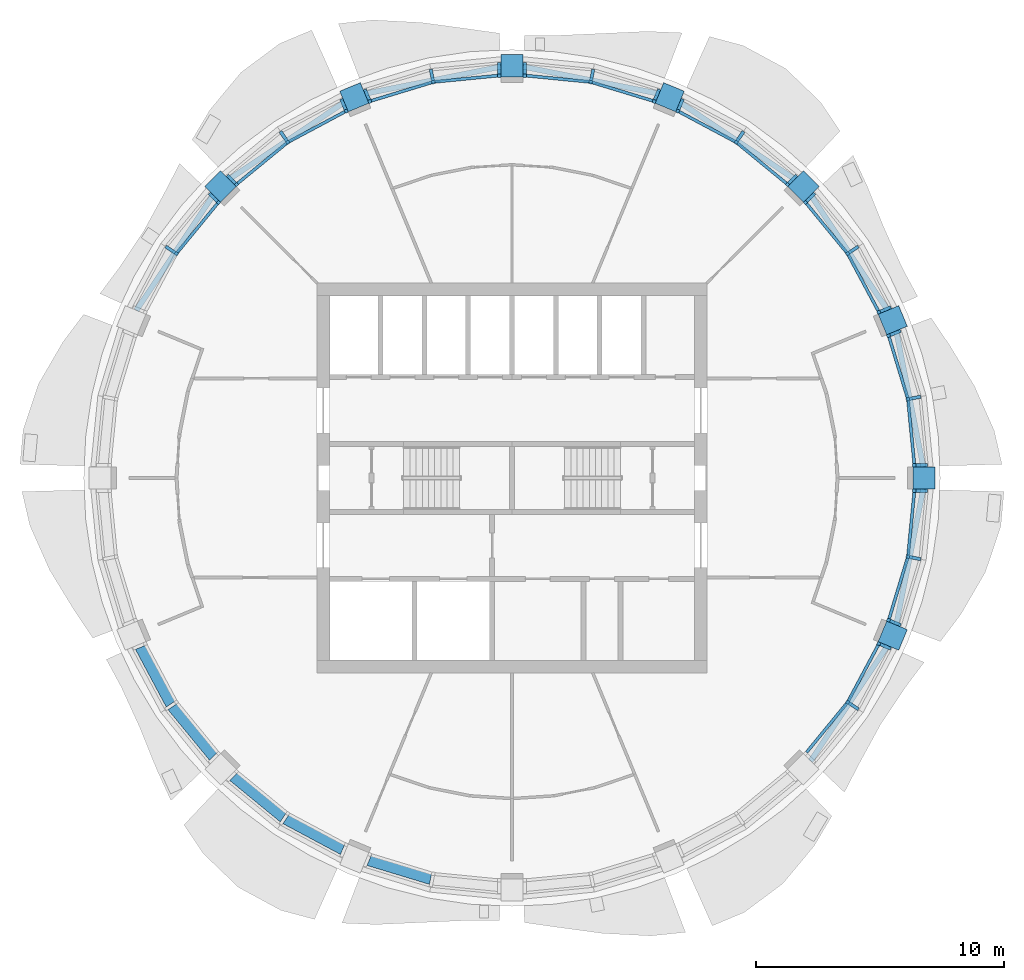
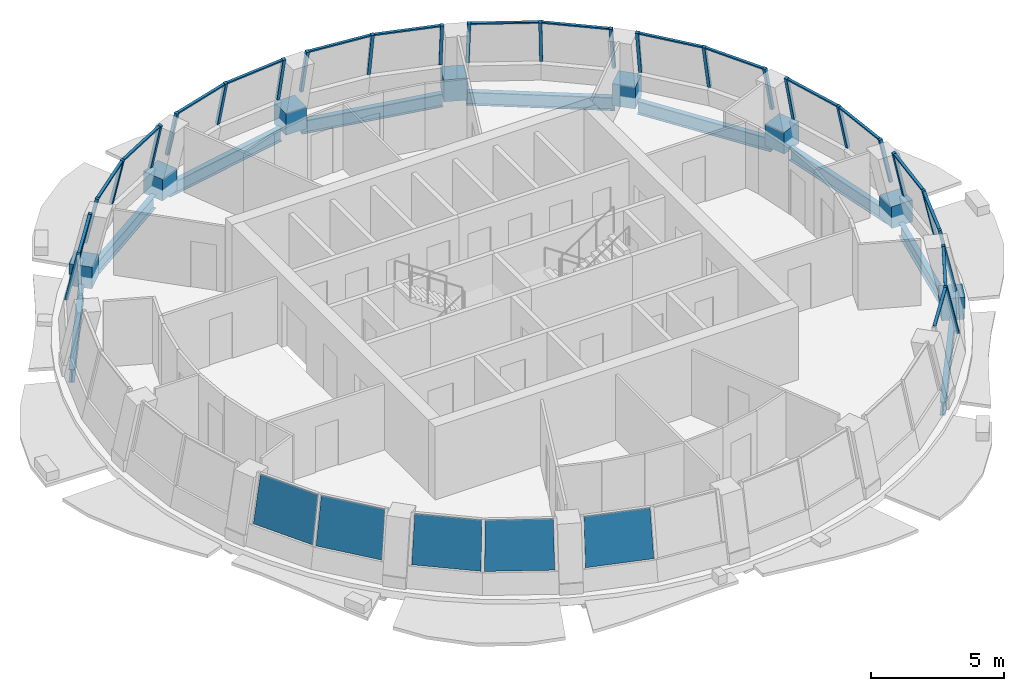
# One storey, part 2 of 11: 50 members, 9 beams, 5 plates, 12 elements without a shape of their own.
"""IFC4 building model written with IfcOpenShell, lengths in metres."""

import ifcopenshell
import ifcopenshell.guid

model = None  # the IFC model being written
_history = None  # IfcOwnerHistory: only IFC2X3 demands one
_inside = {}  # id of a spatial element -> (the spatial element, [elements in it])
_under = {}  # id of a project, library or spatial element -> (it, [spatial elements below it])
_declared = {}  # id of a project -> (the project, [libraries it declares])
_typed = {}  # id of a type object -> (the type object, [elements of that type])
_made_of = {}  # id of a material, layer set ... -> (it, [elements and type objects made of it])


def new_model(schema):
    """Start an empty IFC model of exactly this schema.

    Asked for "IFC4X3", IfcOpenShell would pick the latest addendum, in which some entities
    have other attributes; the version numbers below select the first issue.
    IFC2X3 requires an IfcOwnerHistory on every rooted entity: one is made here for all.
    """
    global model, _history
    if schema == "IFC4X3":
        model = ifcopenshell.file(schema_version=(4, 3, 0, 0))
    else:
        model = ifcopenshell.file(schema=schema)
    _inside.clear()
    _under.clear()
    _declared.clear()
    _typed.clear()
    _made_of.clear()
    _history = None
    if model.schema == "IFC2X3":
        org = make("IfcOrganization", Name="unknown")
        user = make(
            "IfcPersonAndOrganization",
            ThePerson=make("IfcPerson", FamilyName="unknown"),
            TheOrganization=org,
        )
        app = make(
            "IfcApplication",
            ApplicationDeveloper=org,
            Version="unknown",
            ApplicationFullName="unknown",
            ApplicationIdentifier="unknown",
        )
        _history = make(
            "IfcOwnerHistory",
            OwningUser=user,
            OwningApplication=app,
            ChangeAction="ADDED",
            CreationDate=0,
        )
    return model


def make(cls, **values):
    """One entity of the class cls with the attributes given. An attribute that is None is left unset."""
    return model.create_entity(
        cls, **{name: value for name, value in values.items() if value is not None}
    )


def rooted(cls, **values):
    """An entity with a GlobalId (a new one), such as an element, a storey or a relation."""
    return make(cls, GlobalId=ifcopenshell.guid.new(), OwnerHistory=_history, **values)


def si_unit(unit_type, name, prefix=None):
    """IfcSIUnit, for example si_unit("LENGTHUNIT", "METRE", prefix="MILLI")."""
    return make("IfcSIUnit", UnitType=unit_type, Prefix=prefix, Name=name)


def assignment(units):
    """IfcUnitAssignment: the units of a project."""
    return None if units is None else make("IfcUnitAssignment", Units=units)


def point(xyz):
    """IfcCartesianPoint."""
    return None if xyz is None else make("IfcCartesianPoint", Coordinates=xyz)


def direction(xyz):
    """IfcDirection."""
    return None if xyz is None else make("IfcDirection", DirectionRatios=xyz)


def frame(location, z_axis=None, x_axis=None):
    """IfcAxis2Placement3D, a coordinate frame: its origin and axes. An axis left out is left unset."""
    return make(
        "IfcAxis2Placement3D",
        Location=point(location),
        Axis=direction(z_axis),
        RefDirection=direction(x_axis),
    )


def frame_2d(location, x_axis=None):
    """IfcAxis2Placement2D, a coordinate frame in the plane: its origin and x axis."""
    return make(
        "IfcAxis2Placement2D", Location=point(location), RefDirection=direction(x_axis)
    )


def origin():
    """The frame at (0, 0, 0) with its axes left unset."""
    return frame((0.0, 0.0, 0.0))


def origin_2d():
    """The frame at (0, 0) in the plane with its x axis left unset."""
    return frame_2d((0.0, 0.0))


def place(relative_to, where):
    """IfcLocalPlacement: puts the frame where relative to a parent placement (None: the world)."""
    return make(
        "IfcLocalPlacement", PlacementRelTo=relative_to, RelativePlacement=where
    )


def context(
    kind, dimensions, precision=None, world=None, true_north=None, identifier=None
):
    """IfcGeometricRepresentationContext, for example the 3D "Model" context."""
    return make(
        "IfcGeometricRepresentationContext",
        ContextIdentifier=identifier,
        ContextType=kind,
        CoordinateSpaceDimension=dimensions,
        Precision=precision,
        WorldCoordinateSystem=world,
        TrueNorth=true_north,
    )


def subcontext(parent, identifier, kind, view, scale=None):
    """IfcGeometricRepresentationSubContext, for example "Body" below "Model"."""
    return make(
        "IfcGeometricRepresentationSubContext",
        ContextIdentifier=identifier,
        ContextType=kind,
        ParentContext=parent,
        TargetScale=scale,
        TargetView=view,
    )


def project(units=None, contexts=None):
    """IfcProject with its units and contexts."""
    return rooted(
        "IfcProject",
        Name="project",
        RepresentationContexts=contexts,
        UnitsInContext=assignment(units),
    )


def spatial(cls, under=None, at=None, **own):
    """A site, building, storey or space (cls), placed at a placement, below another one or the project."""
    s = rooted(cls, ObjectPlacement=at, **own)
    if under is not None:
        _under.setdefault(under.id(), (under, []))[1].append(s)
    return s


def polyline(points):
    """IfcPolyline through the points."""
    return make("IfcPolyline", Points=[point(p) for p in points])


def profile(cls, at=None, kind="AREA", **sizes):
    """A parametric profile (cls). Its sizes go by their IFC names, for example OverallWidth=200.0."""
    return make(cls, ProfileType=kind, Position=at, **sizes)


def rectangle(**sizes):
    """IfcRectangleProfileDef."""
    return profile("IfcRectangleProfileDef", **sizes)


def i_section(**sizes):
    """IfcIShapeProfileDef."""
    return profile("IfcIShapeProfileDef", **sizes)


def outline(outer, holes=None, kind="AREA"):
    """IfcArbitraryClosedProfileDef: a profile drawn as a closed curve; with holes, ...WithVoids."""
    if holes is None:
        return make("IfcArbitraryClosedProfileDef", ProfileType=kind, OuterCurve=outer)
    return make(
        "IfcArbitraryProfileDefWithVoids",
        ProfileType=kind,
        OuterCurve=outer,
        InnerCurves=holes,
    )


def extrude(swept, where, along, depth):
    """IfcExtrudedAreaSolid: the profile swept, set in the frame where, extruded along a direction by depth."""
    return make(
        "IfcExtrudedAreaSolid",
        SweptArea=swept,
        Position=where,
        ExtrudedDirection=direction(along),
        Depth=depth,
    )


def shape(context_of_items, identifier, shape_type, items):
    """IfcShapeRepresentation: the items that make up one representation, for example the "Body"."""
    return make(
        "IfcShapeRepresentation",
        ContextOfItems=context_of_items,
        RepresentationIdentifier=identifier,
        RepresentationType=shape_type,
        Items=items,
    )


def material(Name=None, Category=None):
    """IfcMaterial."""
    return make("IfcMaterial", Name=Name, Category=Category)


def layer(
    of_material, thickness, ventilated=None, Name=None, Category=None, Priority=None
):
    """IfcMaterialLayer: one layer of a wall or slab, of a material (None: an air gap)."""
    return make(
        "IfcMaterialLayer",
        Material=of_material,
        LayerThickness=thickness,
        IsVentilated=ventilated,
        Name=Name,
        Category=Category,
        Priority=Priority,
    )


def layer_set(layers, Name=None):
    """IfcMaterialLayerSet."""
    return make("IfcMaterialLayerSet", MaterialLayers=layers, LayerSetName=Name)


def material_profile(
    of_material, cross_section, Name=None, Category=None, Priority=None
):
    """IfcMaterialProfile: a cross section and its material."""
    return make(
        "IfcMaterialProfile",
        Name=Name,
        Material=of_material,
        Profile=cross_section,
        Priority=Priority,
        Category=Category,
    )


def profile_set(profiles, Name=None, composite=None):
    """IfcMaterialProfileSet."""
    return make(
        "IfcMaterialProfileSet",
        Name=Name,
        MaterialProfiles=profiles,
        CompositeProfile=composite,
    )


def made_of(thing, what):
    """Note that an element or type object is made of a material, layer set ...; save() writes the relation."""
    if what is not None:
        _made_of.setdefault(what.id(), (what, []))[1].append(thing)
    return thing


def type_object(cls, material=None, **own):
    """A type object (cls), such as IfcWallType, which elements share."""
    return made_of(rooted(cls, **own), material)


def element(
    cls,
    number,
    at=None,
    inside=None,
    cuts=None,
    type_object=None,
    material=None,
    context=None,
    identifier="Body",
    shape_type=None,
    held_by="IfcProductDefinitionShape",
    body=None,
    shapes=None,
    **own,
):
    """One element of the class cls, such as IfcWall. Its Tag is "e" and its number.

    at: its placement. inside: the storey or other place that contains it. cuts: it is an
    opening in that element (IfcRelVoidsElement). A single representation is given by context,
    identifier, shape_type and body (its items); several are given by shapes. held_by: the class
    of the entity that holds the representations. save() writes the other relations.
    """
    e = rooted(cls, Tag="e%d" % number, ObjectPlacement=at, **own)
    if body is not None:
        shapes = [shape(context, identifier, shape_type, body)]
    if shapes is not None:
        e.Representation = make(held_by, Representations=shapes)
    if inside is not None:
        _inside.setdefault(inside.id(), (inside, []))[1].append(e)
    if cuts is not None:
        rooted(
            "IfcRelVoidsElement", RelatingBuildingElement=cuts, RelatedOpeningElement=e
        )
    if type_object is not None:
        _typed.setdefault(type_object.id(), (type_object, []))[1].append(e)
    return made_of(e, material)


def aggregate(whole, parts):
    """IfcRelAggregates: a whole, such as a stair, and the parts it consists of."""
    return rooted("IfcRelAggregates", RelatingObject=whole, RelatedObjects=parts)


def save(model, path):
    """Write the relations noted so far, then the file.

    IfcRelAggregates (storeys below a building ...), IfcRelContainedInSpatialStructure (elements
    in a storey), IfcRelDefinesByType, IfcRelAssociatesMaterial and IfcRelDeclares: one each for
    every whole, place, type object, material and project.
    """
    for whole, parts in _under.values():
        aggregate(whole, parts)
    for where, things in _inside.values():
        rooted(
            "IfcRelContainedInSpatialStructure",
            RelatedElements=things,
            RelatingStructure=where,
        )
    for kind, things in _typed.values():
        rooted("IfcRelDefinesByType", RelatedObjects=things, RelatingType=kind)
    for what, things in _made_of.values():
        rooted("IfcRelAssociatesMaterial", RelatedObjects=things, RelatingMaterial=what)
    for by, libraries in _declared.values():
        rooted("IfcRelDeclares", RelatingContext=by, RelatedDefinitions=libraries)
    model.write(path)


model = new_model("IFC4")

# Units and contexts
model_context = context("Model", 3, precision=1e-05, world=origin(), true_north=direction((0.0, 1.0)))
body_context = subcontext(model_context, "Body", "Model", "MODEL_VIEW")
ifc_project = project(units=[si_unit("LENGTHUNIT", "METRE"), si_unit("AREAUNIT", "SQUARE_METRE"), si_unit("VOLUMEUNIT", "CUBIC_METRE"), si_unit("PLANEANGLEUNIT", "RADIAN"), si_unit("MASSUNIT", "GRAM", prefix="KILO")], contexts=[model_context])

# Site, building, storey
site_placement = place(None, origin())
site = spatial("IfcSite", under=ifc_project, at=site_placement, CompositionType="ELEMENT")
building_placement = place(site_placement, origin())
building = spatial("IfcBuilding", under=site, at=building_placement, Name="Polderwave Tower", CompositionType="ELEMENT")
storey_placement = place(building_placement, frame((0.0, 0.0, 204.39990234375)))
storey = spatial("IfcBuildingStorey", under=building, at=storey_placement, Name="L55", CompositionType="ELEMENT", Elevation=204.39990234375)

# Curtain wall, members
ifc_material_1 = material(Name="Aluminium 6063-T6 and glass", Category="aluminium")
curtain_wall_type = type_object("IfcCurtainWallType", Name="Office ribbon glazing, leaning storey wall", PredefinedType="NOTDEFINED", material=ifc_material_1)
curtain_wall_1_placement = place(storey_placement, origin())
curtain_wall_1 = element("IfcCurtainWall", 1, at=curtain_wall_1_placement, inside=storey, type_object=curtain_wall_type, Name="CW9 L55 00", PredefinedType="NOTDEFINED")
ifc_material_2 = material(Name="Aluminium 6063-T6", Category="aluminium")
ifc_material_profile_1 = material_profile(ifc_material_2, rectangle(XDim=0.1298828125, YDim=0.139892578125, at=origin_2d()), Name="AL 130x140")
ifc_profile_set_1 = profile_set([ifc_material_profile_1], Name="Aluminium 6063-T6")
member_type_1 = type_object("IfcMemberType", Name="Office ribbon glazing, leaning storey mullion 130x140", PredefinedType="MULLION", material=ifc_profile_set_1)
member_1_placement = place(storey_placement, frame((16.7080078125, 0.5146484375, 0.900146484375), z_axis=(-0.213320842981, 0.0, 0.976982199403), x_axis=(0.0, -1.0, 0.0)))
member_1 = element("IfcMember", 2, at=member_1_placement, type_object=member_type_1, Name="CW9 mullion 1", PredefinedType="MULLION", context=body_context, shape_type="SweptSolid", body=[
    extrude(rectangle(XDim=0.1298828125, YDim=0.139892578125, at=origin_2d()), origin(), (0.0, 0.0, 1.0), 2.1494140625),
])
member_2_placement = place(storey_placement, frame((16.436279296875, 3.26953125, 0.900146484375), z_axis=(-0.209013339698, -0.041689073733, 0.977023768882), x_axis=(0.19560362767, -0.980683037909, 0.0)))
member_2 = element("IfcMember", 3, at=member_2_placement, type_object=member_type_1, Name="CW9 mullion 2", PredefinedType="MULLION", context=body_context, shape_type="SweptSolid", body=[
    extrude(rectangle(XDim=0.1298828125, YDim=0.139892578125, at=origin_2d()), origin(), (0.0, 0.0, 1.0), 2.149169921875),
])
member_3_placement = place(storey_placement, frame((15.633056640625, 5.91845703125, 0.900146484375), z_axis=(-0.197295518806, -0.081666941866, 0.97693653267), x_axis=(0.382461417292, -0.923971462916, 0.0)))
member_3 = element("IfcMember", 4, at=member_3_placement, type_object=member_type_1, Name="CW9 mullion 3", PredefinedType="MULLION", context=body_context, shape_type="SweptSolid", body=[
    extrude(rectangle(XDim=0.1298828125, YDim=0.139892578125, at=origin_2d()), origin(), (0.0, 0.0, 1.0), 2.1494140625),
])

curtain_wall_2_placement = place(storey_placement, origin())
curtain_wall_2 = element("IfcCurtainWall", 5, at=curtain_wall_2_placement, inside=storey, type_object=curtain_wall_type, Name="CW9 L55 01", PredefinedType="NOTDEFINED")
member_4_placement = place(storey_placement, frame((15.239013671875, 6.869384765625, 0.900146484375), z_axis=(-0.197080830187, -0.081444930976, 0.976998397947), x_axis=(0.381928316135, -0.924191950481, 0.0)))
member_4 = element("IfcMember", 6, at=member_4_placement, type_object=member_type_1, Name="CW9 mullion 1", PredefinedType="MULLION", context=body_context, shape_type="SweptSolid", body=[
    extrude(rectangle(XDim=0.1298828125, YDim=0.139892578125, at=origin_2d()), origin(), (0.0, 0.0, 1.0), 2.149169921875),
])
member_5_placement = place(storey_placement, frame((13.9345703125, 9.310791015625, 0.900146484375), z_axis=(-0.177533294592, -0.118582699651, 0.976944252583), x_axis=(0.555436632186, -0.831558866002, 0.0)))
member_5 = element("IfcMember", 7, at=member_5_placement, type_object=member_type_1, Name="CW9 mullion 2", PredefinedType="MULLION", context=body_context, shape_type="SweptSolid", body=[
    extrude(rectangle(XDim=0.1298828125, YDim=0.139892578125, at=origin_2d()), origin(), (0.0, 0.0, 1.0), 2.1494140625),
])
member_6_placement = place(storey_placement, frame((12.17822265625, 11.45068359375, 0.900146484375), z_axis=(-0.150727647222, -0.151181988284, 0.976946867942), x_axis=(0.708170097849, -0.706041863145, 0.0)))
member_6 = element("IfcMember", 8, at=member_6_placement, type_object=member_type_1, Name="CW9 mullion 3", PredefinedType="MULLION", context=body_context, shape_type="SweptSolid", body=[
    extrude(rectangle(XDim=0.1298828125, YDim=0.139892578125, at=origin_2d()), origin(), (0.0, 0.0, 1.0), 2.1494140625),
])

curtain_wall_3_placement = place(storey_placement, origin())
curtain_wall_3 = element("IfcCurtainWall", 9, at=curtain_wall_3_placement, inside=storey, type_object=curtain_wall_type, Name="CW9 L55 02", PredefinedType="NOTDEFINED")
member_7_placement = place(storey_placement, frame((11.45068359375, 12.17822265625, 0.900146484375), z_axis=(-0.151181988284, -0.150727647222, 0.976946867942), x_axis=(0.706041863145, -0.708170097849, 0.0)))
member_7 = element("IfcMember", 10, at=member_7_placement, type_object=member_type_1, Name="CW9 mullion 1", PredefinedType="MULLION", context=body_context, shape_type="SweptSolid", body=[
    extrude(rectangle(XDim=0.1298828125, YDim=0.139892578125, at=origin_2d()), origin(), (0.0, 0.0, 1.0), 2.1494140625),
])
member_8_placement = place(storey_placement, frame((9.310791015625, 13.9345703125, 0.900146484375), z_axis=(-0.118582699651, -0.177533294592, 0.976944252583), x_axis=(0.831558866002, -0.555436632186, 0.0)))
member_8 = element("IfcMember", 11, at=member_8_placement, type_object=member_type_1, Name="CW9 mullion 2", PredefinedType="MULLION", context=body_context, shape_type="SweptSolid", body=[
    extrude(rectangle(XDim=0.1298828125, YDim=0.139892578125, at=origin_2d()), origin(), (0.0, 0.0, 1.0), 2.1494140625),
])
member_9_placement = place(storey_placement, frame((6.869384765625, 15.239013671875, 0.900146484375), z_axis=(-0.081444930976, -0.197080830187, 0.976998397947), x_axis=(0.924191950481, -0.381928316135, 0.0)))
member_9 = element("IfcMember", 12, at=member_9_placement, type_object=member_type_1, Name="CW9 mullion 3", PredefinedType="MULLION", context=body_context, shape_type="SweptSolid", body=[
    extrude(rectangle(XDim=0.1298828125, YDim=0.139892578125, at=origin_2d()), origin(), (0.0, 0.0, 1.0), 2.149169921875),
])

curtain_wall_4_placement = place(storey_placement, origin())
curtain_wall_4 = element("IfcCurtainWall", 13, at=curtain_wall_4_placement, inside=storey, type_object=curtain_wall_type, Name="CW9 L55 03", PredefinedType="NOTDEFINED")
member_10_placement = place(storey_placement, frame((5.91845703125, 15.633056640625, 0.900146484375), z_axis=(-0.081666941866, -0.197295518806, 0.97693653267), x_axis=(0.923971462916, -0.382461417292, 0.0)))
member_10 = element("IfcMember", 14, at=member_10_placement, type_object=member_type_1, Name="CW9 mullion 1", PredefinedType="MULLION", context=body_context, shape_type="SweptSolid", body=[
    extrude(rectangle(XDim=0.1298828125, YDim=0.139892578125, at=origin_2d()), origin(), (0.0, 0.0, 1.0), 2.1494140625),
])
member_11_placement = place(storey_placement, frame((3.26953125, 16.436279296875, 0.900146484375), z_axis=(-0.041689073733, -0.209013339698, 0.977023768882), x_axis=(0.980683037909, -0.19560362767, 0.0)))
member_11 = element("IfcMember", 15, at=member_11_placement, type_object=member_type_1, Name="CW9 mullion 2", PredefinedType="MULLION", context=body_context, shape_type="SweptSolid", body=[
    extrude(rectangle(XDim=0.1298828125, YDim=0.139892578125, at=origin_2d()), origin(), (0.0, 0.0, 1.0), 2.149169921875),
])
member_12_placement = place(storey_placement, frame((0.5146484375, 16.7080078125, 0.900146484375), z_axis=(0.0, -0.213320842981, 0.976982199403), x_axis=(1.0, 0.0, 0.0)))
member_12 = element("IfcMember", 16, at=member_12_placement, type_object=member_type_1, Name="CW9 mullion 3", PredefinedType="MULLION", context=body_context, shape_type="SweptSolid", body=[
    extrude(rectangle(XDim=0.1298828125, YDim=0.139892578125, at=origin_2d()), origin(), (0.0, 0.0, 1.0), 2.1494140625),
])

curtain_wall_5_placement = place(storey_placement, origin())
curtain_wall_5 = element("IfcCurtainWall", 17, at=curtain_wall_5_placement, inside=storey, type_object=curtain_wall_type, Name="CW9 L55 04", PredefinedType="NOTDEFINED")
member_13_placement = place(storey_placement, frame((-0.5146484375, 16.7080078125, 0.900146484375), z_axis=(0.0, -0.213320842981, 0.976982199403), x_axis=(1.0, 0.0, 0.0)))
member_13 = element("IfcMember", 18, at=member_13_placement, type_object=member_type_1, Name="CW9 mullion 1", PredefinedType="MULLION", context=body_context, shape_type="SweptSolid", body=[
    extrude(rectangle(XDim=0.1298828125, YDim=0.139892578125, at=origin_2d()), origin(), (0.0, 0.0, 1.0), 2.1494140625),
])
member_14_placement = place(storey_placement, frame((-3.26953125, 16.436279296875, 0.900146484375), z_axis=(0.041689073733, -0.209013339698, 0.977023768882), x_axis=(0.980683037909, 0.19560362767, 0.0)))
member_14 = element("IfcMember", 19, at=member_14_placement, type_object=member_type_1, Name="CW9 mullion 2", PredefinedType="MULLION", context=body_context, shape_type="SweptSolid", body=[
    extrude(rectangle(XDim=0.1298828125, YDim=0.139892578125, at=origin_2d()), origin(), (0.0, 0.0, 1.0), 2.149169921875),
])
member_15_placement = place(storey_placement, frame((-5.91845703125, 15.633056640625, 0.900146484375), z_axis=(0.081666941866, -0.197295518806, 0.97693653267), x_axis=(0.923971462916, 0.382461417292, 0.0)))
member_15 = element("IfcMember", 20, at=member_15_placement, type_object=member_type_1, Name="CW9 mullion 3", PredefinedType="MULLION", context=body_context, shape_type="SweptSolid", body=[
    extrude(rectangle(XDim=0.1298828125, YDim=0.139892578125, at=origin_2d()), origin(), (0.0, 0.0, 1.0), 2.1494140625),
])

curtain_wall_6_placement = place(storey_placement, origin())
curtain_wall_6 = element("IfcCurtainWall", 21, at=curtain_wall_6_placement, inside=storey, type_object=curtain_wall_type, Name="CW9 L55 05", PredefinedType="NOTDEFINED")
member_16_placement = place(storey_placement, frame((-6.869384765625, 15.239013671875, 0.900146484375), z_axis=(0.081444930976, -0.197080830187, 0.976998397947), x_axis=(0.924191950481, 0.381928316135, 0.0)))
member_16 = element("IfcMember", 22, at=member_16_placement, type_object=member_type_1, Name="CW9 mullion 1", PredefinedType="MULLION", context=body_context, shape_type="SweptSolid", body=[
    extrude(rectangle(XDim=0.1298828125, YDim=0.139892578125, at=origin_2d()), origin(), (0.0, 0.0, 1.0), 2.149169921875),
])
member_17_placement = place(storey_placement, frame((-9.310791015625, 13.9345703125, 0.900146484375), z_axis=(0.118582699651, -0.177533294592, 0.976944252583), x_axis=(0.831558866002, 0.555436632186, 0.0)))
member_17 = element("IfcMember", 23, at=member_17_placement, type_object=member_type_1, Name="CW9 mullion 2", PredefinedType="MULLION", context=body_context, shape_type="SweptSolid", body=[
    extrude(rectangle(XDim=0.1298828125, YDim=0.139892578125, at=origin_2d()), origin(), (0.0, 0.0, 1.0), 2.1494140625),
])
member_18_placement = place(storey_placement, frame((-11.45068359375, 12.17822265625, 0.900146484375), z_axis=(0.151181988284, -0.150727647222, 0.976946867942), x_axis=(0.706041863145, 0.708170097849, 0.0)))
member_18 = element("IfcMember", 24, at=member_18_placement, type_object=member_type_1, Name="CW9 mullion 3", PredefinedType="MULLION", context=body_context, shape_type="SweptSolid", body=[
    extrude(rectangle(XDim=0.1298828125, YDim=0.139892578125, at=origin_2d()), origin(), (0.0, 0.0, 1.0), 2.1494140625),
])

curtain_wall_7_placement = place(storey_placement, origin())
curtain_wall_7 = element("IfcCurtainWall", 25, at=curtain_wall_7_placement, inside=storey, type_object=curtain_wall_type, Name="CW9 L55 06", PredefinedType="NOTDEFINED")
member_19_placement = place(storey_placement, frame((-12.17822265625, 11.45068359375, 0.900146484375), z_axis=(0.150727647222, -0.151181988284, 0.976946867942), x_axis=(0.708170097849, 0.706041863145, 0.0)))
member_19 = element("IfcMember", 26, at=member_19_placement, type_object=member_type_1, Name="CW9 mullion 1", PredefinedType="MULLION", context=body_context, shape_type="SweptSolid", body=[
    extrude(rectangle(XDim=0.1298828125, YDim=0.139892578125, at=origin_2d()), origin(), (0.0, 0.0, 1.0), 2.1494140625),
])
member_20_placement = place(storey_placement, frame((-13.9345703125, 9.310791015625, 0.900146484375), z_axis=(0.177533294592, -0.118582699651, 0.976944252583), x_axis=(0.555436632186, 0.831558866002, 0.0)))
member_20 = element("IfcMember", 27, at=member_20_placement, type_object=member_type_1, Name="CW9 mullion 2", PredefinedType="MULLION", context=body_context, shape_type="SweptSolid", body=[
    extrude(rectangle(XDim=0.1298828125, YDim=0.139892578125, at=origin_2d()), origin(), (0.0, 0.0, 1.0), 2.1494140625),
])

curtain_wall_8_placement = place(storey_placement, origin())
curtain_wall_8 = element("IfcCurtainWall", 28, at=curtain_wall_8_placement, inside=storey, type_object=curtain_wall_type, Name="CW9 L55 14", PredefinedType="NOTDEFINED")
member_21_placement = place(storey_placement, frame((13.9345703125, -9.310791015625, 0.900146484375), z_axis=(-0.177533294592, 0.118582699651, 0.976944252583), x_axis=(-0.555436632186, -0.831558866002, 0.0)))
member_21 = element("IfcMember", 29, at=member_21_placement, type_object=member_type_1, Name="CW9 mullion 2", PredefinedType="MULLION", context=body_context, shape_type="SweptSolid", body=[
    extrude(rectangle(XDim=0.1298828125, YDim=0.139892578125, at=origin_2d()), origin(), (0.0, 0.0, 1.0), 2.1494140625),
])
member_22_placement = place(storey_placement, frame((15.239013671875, -6.869384765625, 0.900146484375), z_axis=(-0.197080830187, 0.081444930976, 0.976998397947), x_axis=(-0.381928316135, -0.924191950481, 0.0)))
member_22 = element("IfcMember", 30, at=member_22_placement, type_object=member_type_1, Name="CW9 mullion 3", PredefinedType="MULLION", context=body_context, shape_type="SweptSolid", body=[
    extrude(rectangle(XDim=0.1298828125, YDim=0.139892578125, at=origin_2d()), origin(), (0.0, 0.0, 1.0), 2.149169921875),
])

curtain_wall_9_placement = place(storey_placement, origin())
curtain_wall_9 = element("IfcCurtainWall", 31, at=curtain_wall_9_placement, inside=storey, type_object=curtain_wall_type, Name="CW9 L55 15", PredefinedType="NOTDEFINED")
member_23_placement = place(storey_placement, frame((15.633056640625, -5.91845703125, 0.900146484375), z_axis=(-0.197295518806, 0.081666941866, 0.97693653267), x_axis=(-0.382461417292, -0.923971462916, 0.0)))
member_23 = element("IfcMember", 32, at=member_23_placement, type_object=member_type_1, Name="CW9 mullion 1", PredefinedType="MULLION", context=body_context, shape_type="SweptSolid", body=[
    extrude(rectangle(XDim=0.1298828125, YDim=0.139892578125, at=origin_2d()), origin(), (0.0, 0.0, 1.0), 2.1494140625),
])
member_24_placement = place(storey_placement, frame((16.436279296875, -3.26953125, 0.900146484375), z_axis=(-0.209013339698, 0.041689073733, 0.977023768882), x_axis=(-0.19560362767, -0.980683037909, 0.0)))
member_24 = element("IfcMember", 33, at=member_24_placement, type_object=member_type_1, Name="CW9 mullion 2", PredefinedType="MULLION", context=body_context, shape_type="SweptSolid", body=[
    extrude(rectangle(XDim=0.1298828125, YDim=0.139892578125, at=origin_2d()), origin(), (0.0, 0.0, 1.0), 2.149169921875),
])
member_25_placement = place(storey_placement, frame((16.7080078125, -0.5146484375, 0.900146484375), z_axis=(-0.213320842981, 0.0, 0.976982199403), x_axis=(0.0, -1.0, 0.0)))
member_25 = element("IfcMember", 34, at=member_25_placement, type_object=member_type_1, Name="CW9 mullion 3", PredefinedType="MULLION", context=body_context, shape_type="SweptSolid", body=[
    extrude(rectangle(XDim=0.1298828125, YDim=0.139892578125, at=origin_2d()), origin(), (0.0, 0.0, 1.0), 2.1494140625),
])

# Member
ifc_material_profile_2 = material_profile(ifc_material_2, rectangle(XDim=0.1201171875, YDim=0.06005859375, at=origin_2d()), Name="AL 60x120")
ifc_profile_set_2 = profile_set([ifc_material_profile_2], Name="Aluminium 6063-T6")
member_type_2 = type_object("IfcMemberType", Name="Office ribbon glazing, leaning storey transom 60x120", PredefinedType="USERDEFINED", material=ifc_profile_set_2)
member_26_placement = place(storey_placement, frame((16.249755859375, 0.579345703125, 2.97021484375), z_axis=(-0.098053068021, 0.995181187449, 0.0), x_axis=(-0.995181187449, -0.098053068021, 0.0)))
member_26 = element("IfcMember", 35, at=member_26_placement, type_object=member_type_2, Name="CW9 transom 1", ObjectType="TRANSOM", PredefinedType="USERDEFINED", context=body_context, shape_type="SweptSolid", body=[
    extrude(rectangle(XDim=0.1201171875, YDim=0.06005859375, at=origin_2d()), origin(), (0.0, 0.0, 1.0), 2.549560546875),
])

member_27_placement = place(storey_placement, frame((15.974609375, 3.243408203125, 2.97021484375), z_axis=(-0.290517612511, 0.956869644634, 0.0), x_axis=(-0.956869644634, -0.290517612511, 0.0)))
member_27 = element("IfcMember", 36, at=member_27_placement, type_object=member_type_2, Name="CW9 transom 2", ObjectType="TRANSOM", PredefinedType="USERDEFINED", context=body_context, shape_type="SweptSolid", body=[
    extrude(rectangle(XDim=0.1201171875, YDim=0.06005859375, at=origin_2d()), origin(), (0.0, 0.0, 1.0), 2.549560546875),
])

aggregate(curtain_wall_1, [member_1, member_2, member_3, member_26, member_27])

member_28_placement = place(storey_placement, frame((14.790771484375, 6.754150390625, 2.97021484375), z_axis=(-0.47141323414, 0.881912446152, 0.0), x_axis=(-0.881912446152, -0.47141323414, 0.0)))
member_28 = element("IfcMember", 37, at=member_28_placement, type_object=member_type_2, Name="CW9 transom 1", ObjectType="TRANSOM", PredefinedType="USERDEFINED", context=body_context, shape_type="SweptSolid", body=[
    extrude(rectangle(XDim=0.1201171875, YDim=0.06005859375, at=origin_2d()), origin(), (0.0, 0.0, 1.0), 2.549072265625),
])

member_29_placement = place(storey_placement, frame((13.51708984375, 9.10986328125, 2.97021484375), z_axis=(-0.634400276136, 0.773004715147, 0.0), x_axis=(-0.773004715147, -0.634400276136, 0.0)))
member_29 = element("IfcMember", 38, at=member_29_placement, type_object=member_type_2, Name="CW9 transom 2", ObjectType="TRANSOM", PredefinedType="USERDEFINED", context=body_context, shape_type="SweptSolid", body=[
    extrude(rectangle(XDim=0.1201171875, YDim=0.06005859375, at=origin_2d()), origin(), (0.0, 0.0, 1.0), 2.548828125),
])

aggregate(curtain_wall_2, [member_4, member_5, member_6, member_28, member_29])

member_30_placement = place(storey_placement, frame((11.080078125, 11.900146484375, 2.97021484375), z_axis=(-0.773004715147, 0.634400276136, 0.0), x_axis=(-0.634400276136, -0.773004715147, 0.0)))
member_30 = element("IfcMember", 39, at=member_30_placement, type_object=member_type_2, Name="CW9 transom 1", ObjectType="TRANSOM", PredefinedType="USERDEFINED", context=body_context, shape_type="SweptSolid", body=[
    extrude(rectangle(XDim=0.1201171875, YDim=0.06005859375, at=origin_2d()), origin(), (0.0, 0.0, 1.0), 2.548828125),
])

member_31_placement = place(storey_placement, frame((9.002197265625, 13.589111328125, 2.97021484375), z_axis=(-0.881912446152, 0.47141323414, 0.0), x_axis=(-0.47141323414, -0.881912446152, 0.0)))
member_31 = element("IfcMember", 40, at=member_31_placement, type_object=member_type_2, Name="CW9 transom 2", ObjectType="TRANSOM", PredefinedType="USERDEFINED", context=body_context, shape_type="SweptSolid", body=[
    extrude(rectangle(XDim=0.1201171875, YDim=0.06005859375, at=origin_2d()), origin(), (0.0, 0.0, 1.0), 2.549072265625),
])

aggregate(curtain_wall_3, [member_7, member_8, member_9, member_30, member_31])

member_32_placement = place(storey_placement, frame((5.68310546875, 15.23388671875, 2.97021484375), z_axis=(-0.956869644634, 0.290517612511, 0.0), x_axis=(-0.290517612511, -0.956869644634, 0.0)))
member_32 = element("IfcMember", 41, at=member_32_placement, type_object=member_type_2, Name="CW9 transom 1", ObjectType="TRANSOM", PredefinedType="USERDEFINED", context=body_context, shape_type="SweptSolid", body=[
    extrude(rectangle(XDim=0.1201171875, YDim=0.06005859375, at=origin_2d()), origin(), (0.0, 0.0, 1.0), 2.549560546875),
])

member_33_placement = place(storey_placement, frame((3.11669921875, 15.999755859375, 2.97021484375), z_axis=(-0.995181187449, 0.098053068021, 0.0), x_axis=(-0.098053068021, -0.995181187449, 0.0)))
member_33 = element("IfcMember", 42, at=member_33_placement, type_object=member_type_2, Name="CW9 transom 2", ObjectType="TRANSOM", PredefinedType="USERDEFINED", context=body_context, shape_type="SweptSolid", body=[
    extrude(rectangle(XDim=0.1201171875, YDim=0.06005859375, at=origin_2d()), origin(), (0.0, 0.0, 1.0), 2.549560546875),
])

aggregate(curtain_wall_4, [member_10, member_11, member_12, member_32, member_33])

member_34_placement = place(storey_placement, frame((-0.579345703125, 16.249755859375, 2.97021484375), z_axis=(-0.995181187449, -0.098053068021, 0.0), x_axis=(0.098053068021, -0.995181187449, 0.0)))
member_34 = element("IfcMember", 43, at=member_34_placement, type_object=member_type_2, Name="CW9 transom 1", ObjectType="TRANSOM", PredefinedType="USERDEFINED", context=body_context, shape_type="SweptSolid", body=[
    extrude(rectangle(XDim=0.1201171875, YDim=0.06005859375, at=origin_2d()), origin(), (0.0, 0.0, 1.0), 2.549560546875),
])

member_35_placement = place(storey_placement, frame((-3.243408203125, 15.974609375, 2.97021484375), z_axis=(-0.956869644634, -0.290517612511, 0.0), x_axis=(0.290517612511, -0.956869644634, 0.0)))
member_35 = element("IfcMember", 44, at=member_35_placement, type_object=member_type_2, Name="CW9 transom 2", ObjectType="TRANSOM", PredefinedType="USERDEFINED", context=body_context, shape_type="SweptSolid", body=[
    extrude(rectangle(XDim=0.1201171875, YDim=0.06005859375, at=origin_2d()), origin(), (0.0, 0.0, 1.0), 2.549560546875),
])

aggregate(curtain_wall_5, [member_13, member_14, member_15, member_34, member_35])

member_36_placement = place(storey_placement, frame((-6.754150390625, 14.790771484375, 2.97021484375), z_axis=(-0.881912446152, -0.47141323414, 0.0), x_axis=(0.47141323414, -0.881912446152, 0.0)))
member_36 = element("IfcMember", 45, at=member_36_placement, type_object=member_type_2, Name="CW9 transom 1", ObjectType="TRANSOM", PredefinedType="USERDEFINED", context=body_context, shape_type="SweptSolid", body=[
    extrude(rectangle(XDim=0.1201171875, YDim=0.06005859375, at=origin_2d()), origin(), (0.0, 0.0, 1.0), 2.549072265625),
])

member_37_placement = place(storey_placement, frame((-9.10986328125, 13.51708984375, 2.97021484375), z_axis=(-0.773004715147, -0.634400276136, 0.0), x_axis=(0.634400276136, -0.773004715147, 0.0)))
member_37 = element("IfcMember", 46, at=member_37_placement, type_object=member_type_2, Name="CW9 transom 2", ObjectType="TRANSOM", PredefinedType="USERDEFINED", context=body_context, shape_type="SweptSolid", body=[
    extrude(rectangle(XDim=0.1201171875, YDim=0.06005859375, at=origin_2d()), origin(), (0.0, 0.0, 1.0), 2.548828125),
])

aggregate(curtain_wall_6, [member_16, member_17, member_18, member_36, member_37])

member_38_placement = place(storey_placement, frame((-11.900146484375, 11.080078125, 2.97021484375), z_axis=(-0.634400276136, -0.773004715147, 0.0), x_axis=(0.773004715147, -0.634400276136, 0.0)))
member_38 = element("IfcMember", 47, at=member_38_placement, type_object=member_type_2, Name="CW9 transom 1", ObjectType="TRANSOM", PredefinedType="USERDEFINED", context=body_context, shape_type="SweptSolid", body=[
    extrude(rectangle(XDim=0.1201171875, YDim=0.06005859375, at=origin_2d()), origin(), (0.0, 0.0, 1.0), 2.548828125),
])

aggregate(curtain_wall_7, [member_19, member_20, member_38])

member_39_placement = place(storey_placement, frame((11.900146484375, -11.080078125, 2.97021484375), z_axis=(0.634400276136, 0.773004715147, 0.0), x_axis=(-0.773004715147, 0.634400276136, 0.0)))
member_39 = element("IfcMember", 48, at=member_39_placement, type_object=member_type_2, Name="CW9 transom 1", ObjectType="TRANSOM", PredefinedType="USERDEFINED", context=body_context, shape_type="SweptSolid", body=[
    extrude(rectangle(XDim=0.1201171875, YDim=0.06005859375, at=origin_2d()), origin(), (0.0, 0.0, 1.0), 2.548828125),
])

member_40_placement = place(storey_placement, frame((13.589111328125, -9.002197265625, 2.97021484375), z_axis=(0.47141323414, 0.881912446152, 0.0), x_axis=(-0.881912446152, 0.47141323414, 0.0)))
member_40 = element("IfcMember", 49, at=member_40_placement, type_object=member_type_2, Name="CW9 transom 2", ObjectType="TRANSOM", PredefinedType="USERDEFINED", context=body_context, shape_type="SweptSolid", body=[
    extrude(rectangle(XDim=0.1201171875, YDim=0.06005859375, at=origin_2d()), origin(), (0.0, 0.0, 1.0), 2.549072265625),
])

aggregate(curtain_wall_8, [member_21, member_22, member_39, member_40])

member_41_placement = place(storey_placement, frame((15.23388671875, -5.68310546875, 2.97021484375), z_axis=(0.290517612511, 0.956869644634, 0.0), x_axis=(-0.956869644634, 0.290517612511, 0.0)))
member_41 = element("IfcMember", 50, at=member_41_placement, type_object=member_type_2, Name="CW9 transom 1", ObjectType="TRANSOM", PredefinedType="USERDEFINED", context=body_context, shape_type="SweptSolid", body=[
    extrude(rectangle(XDim=0.1201171875, YDim=0.06005859375, at=origin_2d()), origin(), (0.0, 0.0, 1.0), 2.549560546875),
])

member_42_placement = place(storey_placement, frame((15.999755859375, -3.11669921875, 2.97021484375), z_axis=(0.098053068021, 0.995181187449, 0.0), x_axis=(-0.995181187449, 0.098053068021, 0.0)))
member_42 = element("IfcMember", 51, at=member_42_placement, type_object=member_type_2, Name="CW9 transom 2", ObjectType="TRANSOM", PredefinedType="USERDEFINED", context=body_context, shape_type="SweptSolid", body=[
    extrude(rectangle(XDim=0.1201171875, YDim=0.06005859375, at=origin_2d()), origin(), (0.0, 0.0, 1.0), 2.549560546875),
])

aggregate(curtain_wall_9, [member_23, member_24, member_25, member_41, member_42])

# Members
ifc_material_3 = material(Name="Concrete C60/75", Category="concrete")
ifc_material_profile_3 = material_profile(ifc_material_3, rectangle(XDim=0.89990234375, YDim=0.89990234375, at=origin_2d()), Name="RC 900x900")
ifc_profile_set_3 = profile_set([ifc_material_profile_3], Name="Concrete C60/75")
member_type_3 = type_object("IfcMemberType", Name="RC NODE 900x900 C60/75", PredefinedType="POST", material=ifc_profile_set_3)
for number, where, z_axis, x_axis, name in (
    (52, (16.64404296875, 0.0, -0.5), (0.0, 0.0, 1.0), (1.0, 0.0, 0.0), "Ring column node 01"),
    (53, (15.377197265625, 6.369384765625, -0.5), (0.0, 0.0, 1.0), (0.923879532511, 0.382683432365, 0.0), "Ring column node 02"),
    (54, (11.76904296875, 11.76904296875, -0.5), (0.0, 0.0, 1.0), (0.707106781187, 0.707106781187, 0.0), "Ring column node 03"),
    (55, (6.369384765625, 15.377197265625, -0.5), (0.0, 0.0, 1.0), (0.382683432365, 0.923879532511, 0.0), "Ring column node 04"),
    (56, (0.0, 16.64404296875, -0.5), (0.0, 0.0, 1.0), (0.0, 1.0, 0.0), "Ring column node 05"),
    (57, (-6.369384765625, 15.377197265625, -0.5), (0.0, 0.0, 1.0), (-0.382683432365, 0.923879532511, 0.0), "Ring column node 06"),
    (58, (-11.76904296875, 11.76904296875, -0.5), (0.0, 0.0, 1.0), (-0.707106781187, 0.707106781187, 0.0), "Ring column node 07"),
    (59, (15.377197265625, -6.369384765625, -0.5), (0.0, 0.0, 1.0), (0.923879532511, -0.382683432365, 0.0), "Ring column node 16"),
):
    element("IfcMember", number, at=place(storey_placement, frame(where, z_axis=z_axis, x_axis=x_axis)), inside=storey, type_object=member_type_3, Name=name, PredefinedType="POST", context=body_context, shape_type="SweptSolid", body=[
        extrude(rectangle(XDim=0.89990234375, YDim=0.89990234375, at=origin_2d()), origin(), (0.0, 0.0, 1.0), 1.0),
    ])

# Beams
ifc_material_4 = material(Name="Steel S355", Category="steel")
ifc_material_profile_4 = material_profile(ifc_material_4, i_section(OverallWidth=0.219970703125, OverallDepth=0.60009765625, WebThickness=0.011962890625, FlangeThickness=0.01904296875, at=origin_2d()), Name="IPE 600")
ifc_profile_set_4 = profile_set([ifc_material_profile_4], Name="Steel S355")
beam_type = type_object("IfcBeamType", Name="RING BEAM IPE 600", PredefinedType="BEAM", material=ifc_profile_set_4)
for number, where, z_axis, x_axis, name in (
    (60, (16.610595703125, 0.449951171875, -0.64990234375), (-0.195101310105, 0.980783094673, 0.0), (-0.980783094673, -0.195101310105, 0.0), "ST-RB-L55-00"),
    (61, (15.173828125, 6.772216796875, -0.64990234375), (-0.555565346345, 0.831472877453, 0.0), (-0.831472877453, -0.555565346345, 0.0), "ST-RB-L55-01"),
    (62, (11.42724609375, 12.0634765625, -0.64990234375), (-0.831472877453, 0.555565346345, 0.0), (-0.555565346345, -0.831472877453, 0.0), "ST-RB-L55-02"),
    (63, (5.94091796875, 15.518310546875, -0.64990234375), (-0.980783094673, 0.195101310105, 0.0), (-0.195101310105, -0.980783094673, 0.0), "ST-RB-L55-03"),
    (64, (-0.449951171875, 16.610595703125, -0.64990234375), (-0.980783094673, -0.195101310105, 0.0), (0.195101310105, -0.980783094673, 0.0), "ST-RB-L55-04"),
    (65, (-6.772216796875, 15.173828125, -0.64990234375), (-0.831472877453, -0.555565346345, 0.0), (0.555565346345, -0.831472877453, 0.0), "ST-RB-L55-05"),
    (66, (-12.0634765625, 11.42724609375, -0.64990234375), (-0.555565346345, -0.831472877453, 0.0), (0.831472877453, -0.555565346345, 0.0), "ST-RB-L55-06"),
    (67, (12.0634765625, -11.42724609375, -0.64990234375), (0.555565346345, 0.831472877453, 0.0), (-0.831472877453, 0.555565346345, 0.0), "ST-RB-L55-14"),
    (68, (15.518310546875, -5.94091796875, -0.64990234375), (0.195101310105, 0.980783094673, 0.0), (-0.980783094673, 0.195101310105, 0.0), "ST-RB-L55-15"),
):
    element("IfcBeam", number, at=place(storey_placement, frame(where, z_axis=z_axis, x_axis=x_axis)), inside=storey, type_object=beam_type, Name=name, PredefinedType="BEAM", context=body_context, shape_type="SweptSolid", body=[
        extrude(i_section(OverallWidth=0.219970703125, OverallDepth=0.60009765625, WebThickness=0.011962890625, FlangeThickness=0.01904296875, at=origin_2d()), origin(), (0.0, 0.0, 1.0), 5.5986328125),
    ])

# Curtain wall, plates
curtain_wall_10_placement = place(storey_placement, origin())
curtain_wall_10 = element("IfcCurtainWall", 69, at=curtain_wall_10_placement, inside=storey, type_object=curtain_wall_type, Name="CW9 L55 09", PredefinedType="NOTDEFINED")
ifc_material_5 = material(Name="Glass, low-e laminated double glazing", Category="glass")
ifc_layer = layer(ifc_material_5, 0.031982421875)
ifc_layer_set = layer_set([ifc_layer], Name="Office ribbon glazing, leaning storey glass panel 32 mm")
plate_type = type_object("IfcPlateType", Name="Office ribbon glazing, leaning storey glass panel 32 mm", PredefinedType="CURTAIN_PANEL", material=ifc_layer_set)
plate_1_placement = place(storey_placement, frame((-15.208251953125, -6.9267578125, 0.900146484375), z_axis=(-0.861908709112, -0.46052153872, 0.212210484028), x_axis=(0.471255106855, -0.881996952524, 1.352852e-06)))
plate_1 = element("IfcPlate", 70, at=plate_1_placement, type_object=plate_type, Name="CW9 panel 1", PredefinedType="CURTAIN_PANEL", context=body_context, shape_type="SweptSolid", body=[
    extrude(outline(polyline([(0.0, 0.0), (2.6379545804827584, -5.551115123125783e-17), (2.594246361126985, 2.087582367000459), (0.0437803426696205, 2.087589549761852), (0.0, 0.0)])), origin(), (0.0, 0.0, -1.0), 0.031982421875),
])
plate_2_placement = place(storey_placement, frame((-13.893310546875, -9.361083984375, 0.900146484375), z_axis=(-0.755325783702, -0.619958455083, 0.212448757224), x_axis=(0.634441351751, -0.772971002812, 1.1752e-08)))
plate_2 = element("IfcPlate", 71, at=plate_2_placement, type_object=plate_type, Name="CW9 panel 2", PredefinedType="CURTAIN_PANEL", context=body_context, shape_type="SweptSolid", body=[
    extrude(outline(polyline([(0.0, 0.0), (2.6382706772691495, 0.0), (2.593920944350844, 2.0876965326576746), (0.0437718440679142, 2.0876965950538975), (0.0, 0.0)])), origin(), (0.0, 0.0, -1.0), 0.031982421875),
])
aggregate(curtain_wall_10, [plate_1, plate_2])

curtain_wall_11_placement = place(storey_placement, origin())
curtain_wall_11 = element("IfcCurtainWall", 72, at=curtain_wall_11_placement, inside=storey, type_object=curtain_wall_type, Name="CW9 L55 10", PredefinedType="NOTDEFINED")
plate_3_placement = place(storey_placement, frame((-11.400390625, -12.219482421875, 0.900146484375), z_axis=(-0.619958455083, -0.755325783702, 0.212448757224), x_axis=(0.772971002812, -0.634441351751, -1.1752e-08)))
plate_3 = element("IfcPlate", 73, at=plate_3_placement, type_object=plate_type, Name="CW9 panel 1", PredefinedType="CURTAIN_PANEL", context=body_context, shape_type="SweptSolid", body=[
    extrude(outline(polyline([(0.0, 0.0), (2.6382706772691495, 0.0), (2.5944988332012353, 2.0876965950538975), (0.04434973291830616, 2.0876965326576746), (0.0, 0.0)])), origin(), (0.0, 0.0, -1.0), 0.031982421875),
])
plate_4_placement = place(storey_placement, frame((-9.25341796875, -13.965087890625, 0.900146484375), z_axis=(-0.460485916161, -0.861863253597, 0.212472240814), x_axis=(0.8820015561, -0.471246490729, -3.47871e-06)))
plate_4 = element("IfcPlate", 74, at=plate_4_placement, type_object=plate_type, Name="CW9 panel 2", PredefinedType="CURTAIN_PANEL", context=body_context, shape_type="SweptSolid", body=[
    extrude(outline(polyline([(0.0, 0.0), (2.6379545801827975, -2.7755575615628914e-17), (2.594159460962987, 2.087466862399043), (0.0436934416156908, 2.0876982369650943), (0.0, 0.0)])), origin(), (0.0, 0.0, -1.0), 0.031982421875),
])
aggregate(curtain_wall_11, [plate_3, plate_4])

# Curtain wall, plate
curtain_wall_12_placement = place(storey_placement, origin())
curtain_wall_12 = element("IfcCurtainWall", 75, at=curtain_wall_12_placement, inside=storey, type_object=curtain_wall_type, Name="CW9 L55 11", PredefinedType="NOTDEFINED")
plate_5_placement = place(storey_placement, frame((-5.856201171875, -15.65185546875, 0.900146484375), z_axis=(-0.283567404591, -0.935098897028, 0.212554886632), x_axis=(0.956965937298, -0.290200266702, -7.537765e-06)))
plate_5 = element("IfcPlate", 76, at=plate_5_placement, type_object=plate_type, Name="CW9 panel 1", PredefinedType="CURTAIN_PANEL", context=body_context, shape_type="SweptSolid", body=[
    extrude(outline(polyline([(0.0, 0.0), (2.637962848643115, 2.7755575615628914e-17), (2.594696771949398, 2.087516040037508), (0.04377157096692123, 2.087725862674069), (0.0, 0.0)])), origin(), (0.0, 0.0, -1.0), 0.031982421875),
])
aggregate(curtain_wall_12, [plate_5])

save(model, "model.ifc")
